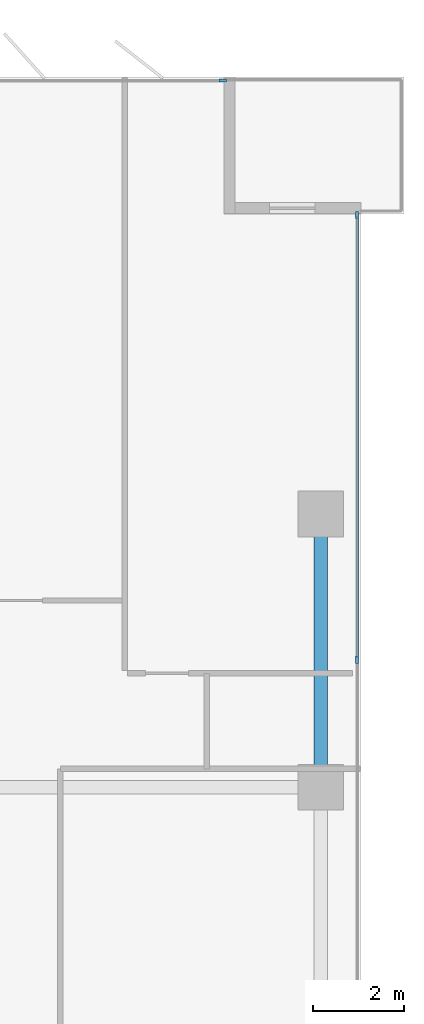
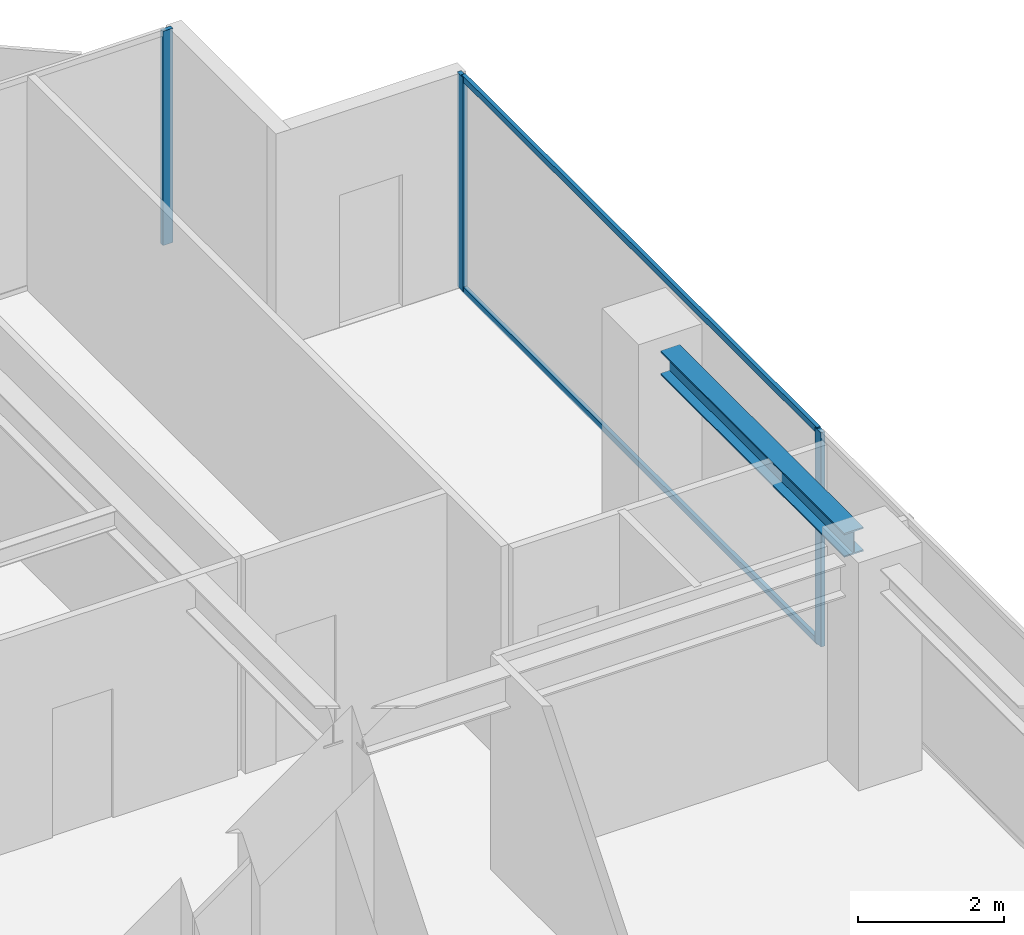
# One storey, part 13 of 22: 5 members, 1 beam, 2 elements without a shape of their own.
"""IFC4 building model written with IfcOpenShell, lengths in metres."""

from ifc_helpers import new_model, si_unit, direction, frame, origin, origin_2d, place, context, subcontext, project, spatial, rectangle, i_section, extrude, material, layer, layer_set, material_profile, profile_set, type_object, element, aggregate, save


model = new_model("IFC4")

# Units and contexts
model_context = context("Model", 3, precision=1e-05, world=origin(), true_north=direction((0.0, 1.0)))
body_context = subcontext(model_context, "Body", "Model", "MODEL_VIEW")
ifc_project = project(units=[si_unit("LENGTHUNIT", "METRE"), si_unit("AREAUNIT", "SQUARE_METRE"), si_unit("VOLUMEUNIT", "CUBIC_METRE"), si_unit("PLANEANGLEUNIT", "RADIAN"), si_unit("MASSUNIT", "GRAM", prefix="KILO")], contexts=[model_context])

# Site, building, storey
site_placement = place(None, origin())
site = spatial("IfcSite", under=ifc_project, at=site_placement, CompositionType="ELEMENT")
building_placement = place(site_placement, origin())
building = spatial("IfcBuilding", under=site, at=building_placement, Name="Putna Gate Headquarters", CompositionType="ELEMENT")
storey_placement = place(building_placement, frame((0.0, 0.0, 189.800048828125)))
storey = spatial("IfcBuildingStorey", under=building, at=storey_placement, Name="L47", CompositionType="ELEMENT", Elevation=189.800048828125)

# Beam
ifc_material_1 = material(Name="Steel S355J2", Category="steel")
ifc_material_profile_1 = material_profile(ifc_material_1, i_section(OverallWidth=0.300048828125, OverallDepth=0.39990234375, WebThickness=0.013427734375, FlangeThickness=0.02392578125, at=origin_2d()), Name="Steel S355J2")
ifc_profile_set_1 = profile_set([ifc_material_profile_1], Name="Steel S355J2")
beam_type = type_object("IfcBeamType", Name="BM-SPAN-Z3-HEB400", PredefinedType="SPANDREL", material=ifc_profile_set_1)
beam_placement = place(storey_placement, frame((73.320068359375, 33.488037109375, 3.3720703125), z_axis=(0.0, 1.0, 0.0), x_axis=(-1.0, 0.0, 0.0)))
element("IfcBeam", 1, at=beam_placement, inside=storey, type_object=beam_type, Name="L47 E End Spandrel 3", PredefinedType="SPANDREL", context=body_context, shape_type="SweptSolid", body=[
    extrude(i_section(OverallWidth=0.300048828125, OverallDepth=0.39990234375, WebThickness=0.013427734375, FlangeThickness=0.02392578125, at=origin_2d()), origin(), (0.0, 0.0, 1.0), 5.02392578125),
])

# Curtain wall, member
ifc_material_2 = material(Name="Anodised bronze aluminium curtain wall", Category="aluminium")
ifc_layer = layer(ifc_material_2, 0.159912109375)
ifc_layer_set = layer_set([ifc_layer], Name="Anodised bronze aluminium curtain wall")
curtain_wall_type = type_object("IfcCurtainWallType", Name="CW-SYS-Z3", PredefinedType="USERDEFINED", material=ifc_layer_set)
curtain_wall_1_placement = place(storey_placement, origin())
curtain_wall_1 = element("IfcCurtainWall", 2, at=curtain_wall_1_placement, inside=storey, type_object=curtain_wall_type, Name="L47 North East Curtain Wall", ObjectType="STICK CURTAIN WALL", PredefinedType="USERDEFINED")
ifc_material_3 = material(Name="Anodised bronze aluminium EN AW-6060", Category="aluminium")
ifc_material_profile_2 = material_profile(ifc_material_3, rectangle(XDim=0.06494140625, YDim=0.159912109375, at=origin_2d()), Name="Anodised bronze aluminium EN AW-6060")
ifc_profile_set_2 = profile_set([ifc_material_profile_2], Name="Anodised bronze aluminium EN AW-6060")
member_type_1 = type_object("IfcMemberType", Name="MULL-CWM-3", PredefinedType="MULLION", material=ifc_profile_set_2)
member_1_placement = place(storey_placement, frame((71.16748046875, 48.52001953125, 0.0), z_axis=(0.0, 0.0, 1.0), x_axis=(0.0, 1.0, 0.0)))
member_1 = element("IfcMember", 3, at=member_1_placement, type_object=member_type_1, Name="CWS-3 mullion 3", PredefinedType="MULLION", context=body_context, shape_type="SweptSolid", body=[
    extrude(rectangle(XDim=0.06494140625, YDim=0.159912109375, at=origin_2d()), origin(), (0.0, 0.0, 1.0), 3.572021484375),
])
aggregate(curtain_wall_1, [member_1])

# Curtain wall, members
curtain_wall_2_placement = place(storey_placement, origin())
curtain_wall_2 = element("IfcCurtainWall", 4, at=curtain_wall_2_placement, inside=storey, type_object=curtain_wall_type, Name="L47 East Curtain Wall", ObjectType="STICK CURTAIN WALL", PredefinedType="USERDEFINED")
member_2_placement = place(storey_placement, frame((74.1201171875, 35.800048828125, 0.0), z_axis=(0.0, 0.0, 1.0), x_axis=(-1.0, 0.0, 0.0)))
member_2 = element("IfcMember", 5, at=member_2_placement, type_object=member_type_1, Name="CWS-3 mullion 4", PredefinedType="MULLION", context=body_context, shape_type="SweptSolid", body=[
    extrude(rectangle(XDim=0.06494140625, YDim=0.159912109375, at=origin_2d()), origin(), (0.0, 0.0, 1.0), 3.572021484375),
])
member_3_placement = place(storey_placement, frame((74.1201171875, 45.5673828125, 0.0), z_axis=(0.0, 0.0, 1.0), x_axis=(-1.0, 0.0, 0.0)))
member_3 = element("IfcMember", 6, at=member_3_placement, type_object=member_type_1, Name="CWS-3 mullion 5", PredefinedType="MULLION", context=body_context, shape_type="SweptSolid", body=[
    extrude(rectangle(XDim=0.06494140625, YDim=0.159912109375, at=origin_2d()), origin(), (0.0, 0.0, 1.0), 3.572021484375),
])
ifc_material_profile_3 = material_profile(ifc_material_3, rectangle(XDim=0.06005859375, YDim=0.10009765625, at=origin_2d()), Name="Anodised bronze aluminium EN AW-6060")
ifc_profile_set_3 = profile_set([ifc_material_profile_3], Name="Anodised bronze aluminium EN AW-6060")
member_type_2 = type_object("IfcMemberType", Name="TRAN-CWT-3", PredefinedType="USERDEFINED", material=ifc_profile_set_3)
member_4_placement = place(storey_placement, frame((74.1201171875, 35.83251953125, 0.030029296875), z_axis=(0.0, 1.0, 0.0), x_axis=(-1.0, 0.0, 0.0)))
member_4 = element("IfcMember", 7, at=member_4_placement, type_object=member_type_2, Name="CWS-3 transom 4.1", ObjectType="TRANSOM", PredefinedType="USERDEFINED", context=body_context, shape_type="SweptSolid", body=[
    extrude(rectangle(XDim=0.06005859375, YDim=0.10009765625, at=origin_2d()), origin(), (0.0, 0.0, 1.0), 9.702392578125),
])
member_5_placement = place(storey_placement, frame((74.1201171875, 35.83251953125, 3.5419921875), z_axis=(0.0, 1.0, 0.0), x_axis=(-1.0, 0.0, 0.0)))
member_5 = element("IfcMember", 8, at=member_5_placement, type_object=member_type_2, Name="CWS-3 transom 4.2", ObjectType="TRANSOM", PredefinedType="USERDEFINED", context=body_context, shape_type="SweptSolid", body=[
    extrude(rectangle(XDim=0.06005859375, YDim=0.10009765625, at=origin_2d()), origin(), (0.0, 0.0, 1.0), 9.702392578125),
])
aggregate(curtain_wall_2, [member_2, member_3, member_4, member_5])

save(model, "model.ifc")
